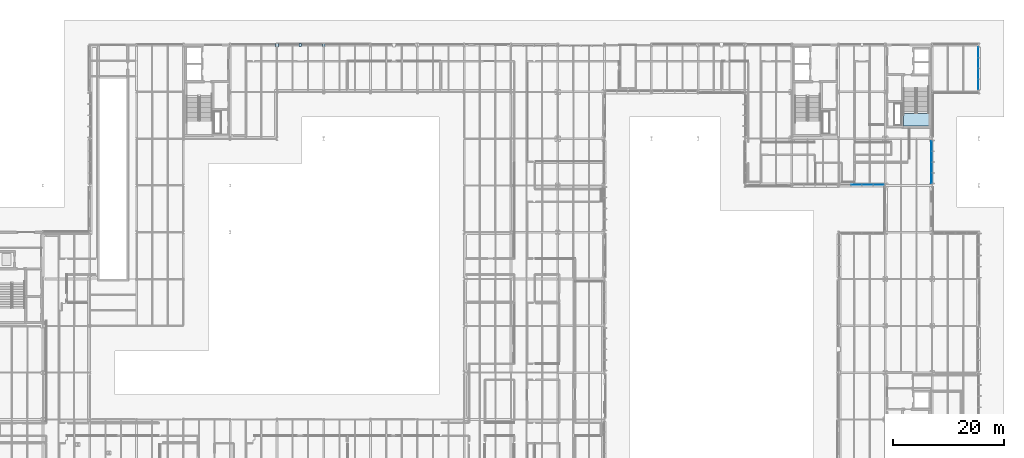
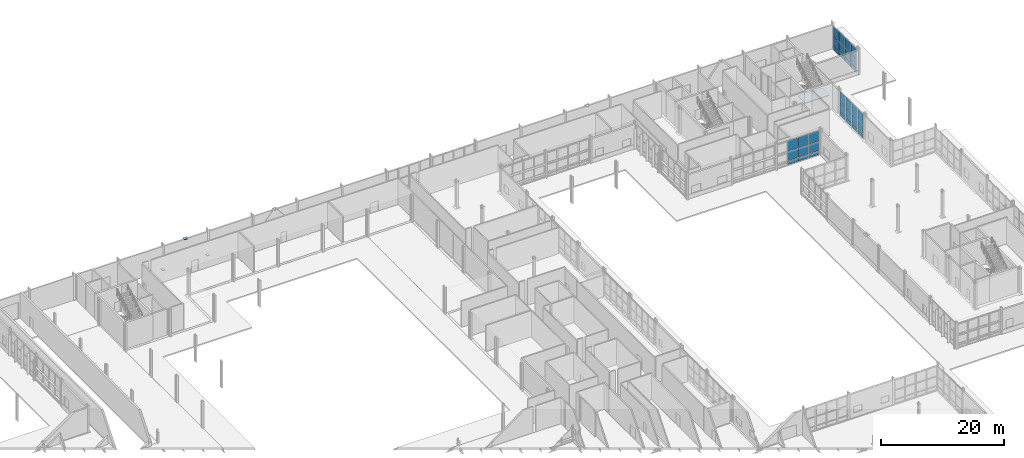
# One storey, part 80 of 124: 36 plates, 1 slab, 4 elements without a shape of their own.
"""IFC4 building model written with IfcOpenShell, lengths in metres."""

from ifc_helpers import new_model, si_unit, direction, frame, origin, origin_2d, place, context, subcontext, project, spatial, polyline, rectangle, outline, extrude, material, layer, layer_set, type_object, element, aggregate, save


model = new_model("IFC4")

# Units and contexts
model_context = context("Model", 3, precision=1e-05, world=origin(), true_north=direction((0.0, 1.0)))
body_context = subcontext(model_context, "Body", "Model", "MODEL_VIEW")
ifc_project = project(units=[si_unit("LENGTHUNIT", "METRE"), si_unit("AREAUNIT", "SQUARE_METRE"), si_unit("VOLUMEUNIT", "CUBIC_METRE"), si_unit("PLANEANGLEUNIT", "RADIAN"), si_unit("MASSUNIT", "GRAM", prefix="KILO")], contexts=[model_context])

# Site, building, storey
site_placement = place(None, origin())
site = spatial("IfcSite", under=ifc_project, at=site_placement, CompositionType="ELEMENT")
building_placement = place(site_placement, origin())
building = spatial("IfcBuilding", under=site, at=building_placement, Name="Mersafa Astral City Hall", CompositionType="ELEMENT")
storey_placement = place(building_placement, origin())
storey = spatial("IfcBuildingStorey", under=building, at=storey_placement, Name="L00", CompositionType="ELEMENT", Elevation=0.0)

# Curtain wall, plates
ifc_material_1 = material(Name="Anodised bronze aluminium framing", Category="aluminium")
curtain_wall_type_1 = type_object("IfcCurtainWallType", Name="ENV-CW-1", PredefinedType="USERDEFINED", material=ifc_material_1)
curtain_wall_1_placement = place(storey_placement, origin())
curtain_wall_1 = element("IfcCurtainWall", 1, at=curtain_wall_1_placement, inside=storey, type_object=curtain_wall_type_1, Name="L00 Unitised solar curtain wall 30", ObjectType="UNITISED CURTAIN WALL", PredefinedType="USERDEFINED")
ifc_material_2 = material(Name="Solar control low-e double glazing", Category="glass")
ifc_layer_1 = layer(ifc_material_2, 0.035888671875, Name="Solar control low-e double glazing")
ifc_layer_set_1 = layer_set([ifc_layer_1], Name="Solar control low-e double glazing — ENV-CW-PNL-GLZ-3")
plate_type_1 = type_object("IfcPlateType", Name="ENV-CW-PNL-GLZ-3", PredefinedType="CURTAIN_PANEL", material=ifc_layer_set_1)
plate_1_placement = place(storey_placement, frame((176.280029296875, 102.114013671875, 0.05810546875), z_axis=(0.0, 0.0, 1.0), x_axis=(0.0, 1.0, 0.0)))
plate_1 = element("IfcPlate", 2, at=plate_1_placement, type_object=plate_type_1, Name="CW-1 panel 1.1", PredefinedType="CURTAIN_PANEL", context=body_context, shape_type="SweptSolid", body=[
    extrude(rectangle(XDim=1.763916015625, YDim=0.035888671875, at=origin_2d()), origin(), (0.0, 0.0, 1.0), 0.761962890625),
])
plate_2_placement = place(storey_placement, frame((176.280029296875, 102.114013671875, 0.8798828125), z_axis=(0.0, 0.0, 1.0), x_axis=(0.0, 1.0, 0.0)))
plate_2 = element("IfcPlate", 3, at=plate_2_placement, type_object=plate_type_1, Name="CW-1 panel 1.2", PredefinedType="CURTAIN_PANEL", context=body_context, shape_type="SweptSolid", body=[
    extrude(rectangle(XDim=1.763916015625, YDim=0.035888671875, at=origin_2d()), origin(), (0.0, 0.0, 1.0), 1.840087890625),
])
plate_3_placement = place(storey_placement, frame((176.280029296875, 102.114013671875, 2.780029296875), z_axis=(0.0, 0.0, 1.0), x_axis=(0.0, 1.0, 0.0)))
plate_3 = element("IfcPlate", 4, at=plate_3_placement, type_object=plate_type_1, Name="CW-1 panel 1.3", PredefinedType="CURTAIN_PANEL", context=body_context, shape_type="SweptSolid", body=[
    extrude(rectangle(XDim=1.763916015625, YDim=0.035888671875, at=origin_2d()), origin(), (0.0, 0.0, 1.0), 2.06201171875),
])
plate_4_placement = place(storey_placement, frame((176.280029296875, 104.028076171875, 0.05810546875), z_axis=(0.0, 0.0, 1.0), x_axis=(0.0, 1.0, 0.0)))
plate_4 = element("IfcPlate", 5, at=plate_4_placement, type_object=plate_type_1, Name="CW-1 panel 2.1", PredefinedType="CURTAIN_PANEL", context=body_context, shape_type="SweptSolid", body=[
    extrude(rectangle(XDim=1.823974609375, YDim=0.035888671875, at=origin_2d()), origin(), (0.0, 0.0, 1.0), 0.761962890625),
])
plate_5_placement = place(storey_placement, frame((176.280029296875, 104.028076171875, 0.8798828125), z_axis=(0.0, 0.0, 1.0), x_axis=(0.0, 1.0, 0.0)))
plate_5 = element("IfcPlate", 6, at=plate_5_placement, type_object=plate_type_1, Name="CW-1 panel 2.2", PredefinedType="CURTAIN_PANEL", context=body_context, shape_type="SweptSolid", body=[
    extrude(rectangle(XDim=1.823974609375, YDim=0.035888671875, at=origin_2d()), origin(), (0.0, 0.0, 1.0), 1.840087890625),
])
plate_6_placement = place(storey_placement, frame((176.280029296875, 104.028076171875, 2.780029296875), z_axis=(0.0, 0.0, 1.0), x_axis=(0.0, 1.0, 0.0)))
plate_6 = element("IfcPlate", 7, at=plate_6_placement, type_object=plate_type_1, Name="CW-1 panel 2.3", PredefinedType="CURTAIN_PANEL", context=body_context, shape_type="SweptSolid", body=[
    extrude(rectangle(XDim=1.823974609375, YDim=0.035888671875, at=origin_2d()), origin(), (0.0, 0.0, 1.0), 2.06201171875),
])
plate_7_placement = place(storey_placement, frame((176.280029296875, 105.971923828125, 0.05810546875), z_axis=(0.0, 0.0, 1.0), x_axis=(0.0, 1.0, 0.0)))
plate_7 = element("IfcPlate", 8, at=plate_7_placement, type_object=plate_type_1, Name="CW-1 panel 3.1", PredefinedType="CURTAIN_PANEL", context=body_context, shape_type="SweptSolid", body=[
    extrude(rectangle(XDim=1.823974609375, YDim=0.035888671875, at=origin_2d()), origin(), (0.0, 0.0, 1.0), 0.761962890625),
])
plate_8_placement = place(storey_placement, frame((176.280029296875, 105.971923828125, 0.8798828125), z_axis=(0.0, 0.0, 1.0), x_axis=(0.0, 1.0, 0.0)))
plate_8 = element("IfcPlate", 9, at=plate_8_placement, type_object=plate_type_1, Name="CW-1 panel 3.2", PredefinedType="CURTAIN_PANEL", context=body_context, shape_type="SweptSolid", body=[
    extrude(rectangle(XDim=1.823974609375, YDim=0.035888671875, at=origin_2d()), origin(), (0.0, 0.0, 1.0), 1.840087890625),
])
plate_9_placement = place(storey_placement, frame((176.280029296875, 105.971923828125, 2.780029296875), z_axis=(0.0, 0.0, 1.0), x_axis=(0.0, 1.0, 0.0)))
plate_9 = element("IfcPlate", 10, at=plate_9_placement, type_object=plate_type_1, Name="CW-1 panel 3.3", PredefinedType="CURTAIN_PANEL", context=body_context, shape_type="SweptSolid", body=[
    extrude(rectangle(XDim=1.823974609375, YDim=0.035888671875, at=origin_2d()), origin(), (0.0, 0.0, 1.0), 2.06201171875),
])
plate_10_placement = place(storey_placement, frame((176.280029296875, 107.885986328125, 0.05810546875), z_axis=(0.0, 0.0, 1.0), x_axis=(0.0, 1.0, 0.0)))
plate_10 = element("IfcPlate", 11, at=plate_10_placement, type_object=plate_type_1, Name="CW-1 panel 4.1", PredefinedType="CURTAIN_PANEL", context=body_context, shape_type="SweptSolid", body=[
    extrude(rectangle(XDim=1.763916015625, YDim=0.035888671875, at=origin_2d()), origin(), (0.0, 0.0, 1.0), 0.761962890625),
])
plate_11_placement = place(storey_placement, frame((176.280029296875, 107.885986328125, 0.8798828125), z_axis=(0.0, 0.0, 1.0), x_axis=(0.0, 1.0, 0.0)))
plate_11 = element("IfcPlate", 12, at=plate_11_placement, type_object=plate_type_1, Name="CW-1 panel 4.2", PredefinedType="CURTAIN_PANEL", context=body_context, shape_type="SweptSolid", body=[
    extrude(rectangle(XDim=1.763916015625, YDim=0.035888671875, at=origin_2d()), origin(), (0.0, 0.0, 1.0), 1.840087890625),
])
plate_12_placement = place(storey_placement, frame((176.280029296875, 107.885986328125, 2.780029296875), z_axis=(0.0, 0.0, 1.0), x_axis=(0.0, 1.0, 0.0)))
plate_12 = element("IfcPlate", 13, at=plate_12_placement, type_object=plate_type_1, Name="CW-1 panel 4.3", PredefinedType="CURTAIN_PANEL", context=body_context, shape_type="SweptSolid", body=[
    extrude(rectangle(XDim=1.763916015625, YDim=0.035888671875, at=origin_2d()), origin(), (0.0, 0.0, 1.0), 2.06201171875),
])
aggregate(curtain_wall_1, [plate_1, plate_2, plate_3, plate_4, plate_5, plate_6, plate_7, plate_8, plate_9, plate_10, plate_11, plate_12])

curtain_wall_type_2 = type_object("IfcCurtainWallType", Name="ENV-CW-2", PredefinedType="USERDEFINED", material=ifc_material_1)
curtain_wall_2_placement = place(storey_placement, origin())
curtain_wall_2 = element("IfcCurtainWall", 14, at=curtain_wall_2_placement, inside=storey, type_object=curtain_wall_type_2, Name="L00 Unitised solar curtain wall 19", ObjectType="UNITISED CURTAIN WALL", PredefinedType="USERDEFINED")
ifc_layer_2 = layer(ifc_material_2, 0.0400390625, Name="Solar control low-e double glazing")
ifc_layer_set_2 = layer_set([ifc_layer_2], Name="Solar control low-e double glazing — ENV-CW-PNL-GLZ-4")
plate_type_2 = type_object("IfcPlateType", Name="ENV-CW-PNL-GLZ-4", PredefinedType="CURTAIN_PANEL", material=ifc_layer_set_2)
plate_13_placement = place(storey_placement, frame((162.79052734375, 100.919921875, 0.05810546875), z_axis=(0.0, 0.0, 1.0), x_axis=(1.0, 0.0, 0.0)))
plate_13 = element("IfcPlate", 15, at=plate_13_placement, type_object=plate_type_2, Name="CW-2 panel 2.1", PredefinedType="CURTAIN_PANEL", context=body_context, shape_type="SweptSolid", body=[
    extrude(rectangle(XDim=1.89892578125, YDim=0.0400390625, at=origin_2d()), origin(), (0.0, 0.0, 1.0), 0.761962890625),
])
plate_14_placement = place(storey_placement, frame((162.79052734375, 100.919921875, 0.8798828125), z_axis=(0.0, 0.0, 1.0), x_axis=(1.0, 0.0, 0.0)))
plate_14 = element("IfcPlate", 16, at=plate_14_placement, type_object=plate_type_2, Name="CW-2 panel 2.2", PredefinedType="CURTAIN_PANEL", context=body_context, shape_type="SweptSolid", body=[
    extrude(rectangle(XDim=1.89892578125, YDim=0.0400390625, at=origin_2d()), origin(), (0.0, 0.0, 1.0), 1.840087890625),
])
plate_15_placement = place(storey_placement, frame((162.79052734375, 100.919921875, 2.780029296875), z_axis=(0.0, 0.0, 1.0), x_axis=(1.0, 0.0, 0.0)))
plate_15 = element("IfcPlate", 17, at=plate_15_placement, type_object=plate_type_2, Name="CW-2 panel 2.3", PredefinedType="CURTAIN_PANEL", context=body_context, shape_type="SweptSolid", body=[
    extrude(rectangle(XDim=1.89892578125, YDim=0.0400390625, at=origin_2d()), origin(), (0.0, 0.0, 1.0), 2.001953125),
])
plate_16_placement = place(storey_placement, frame((164.8095703125, 100.919921875, 0.05810546875), z_axis=(0.0, 0.0, 1.0), x_axis=(1.0, 0.0, 0.0)))
plate_16 = element("IfcPlate", 18, at=plate_16_placement, type_object=plate_type_2, Name="CW-2 panel 3.1", PredefinedType="CURTAIN_PANEL", context=body_context, shape_type="SweptSolid", body=[
    extrude(rectangle(XDim=1.89892578125, YDim=0.0400390625, at=origin_2d()), origin(), (0.0, 0.0, 1.0), 0.761962890625),
])
plate_17_placement = place(storey_placement, frame((164.8095703125, 100.919921875, 0.8798828125), z_axis=(0.0, 0.0, 1.0), x_axis=(1.0, 0.0, 0.0)))
plate_17 = element("IfcPlate", 19, at=plate_17_placement, type_object=plate_type_2, Name="CW-2 panel 3.2", PredefinedType="CURTAIN_PANEL", context=body_context, shape_type="SweptSolid", body=[
    extrude(rectangle(XDim=1.89892578125, YDim=0.0400390625, at=origin_2d()), origin(), (0.0, 0.0, 1.0), 1.840087890625),
])
plate_18_placement = place(storey_placement, frame((164.8095703125, 100.919921875, 2.780029296875), z_axis=(0.0, 0.0, 1.0), x_axis=(1.0, 0.0, 0.0)))
plate_18 = element("IfcPlate", 20, at=plate_18_placement, type_object=plate_type_2, Name="CW-2 panel 3.3", PredefinedType="CURTAIN_PANEL", context=body_context, shape_type="SweptSolid", body=[
    extrude(rectangle(XDim=1.89892578125, YDim=0.0400390625, at=origin_2d()), origin(), (0.0, 0.0, 1.0), 2.001953125),
])
plate_19_placement = place(storey_placement, frame((166.798583984375, 100.919921875, 0.05810546875), z_axis=(0.0, 0.0, 1.0), x_axis=(1.0, 0.0, 0.0)))
plate_19 = element("IfcPlate", 21, at=plate_19_placement, type_object=plate_type_2, Name="CW-2 panel 4.1", PredefinedType="CURTAIN_PANEL", context=body_context, shape_type="SweptSolid", body=[
    extrude(rectangle(XDim=1.839111328125, YDim=0.0400390625, at=origin_2d()), origin(), (0.0, 0.0, 1.0), 0.761962890625),
])
plate_20_placement = place(storey_placement, frame((166.798583984375, 100.919921875, 0.8798828125), z_axis=(0.0, 0.0, 1.0), x_axis=(1.0, 0.0, 0.0)))
plate_20 = element("IfcPlate", 22, at=plate_20_placement, type_object=plate_type_2, Name="CW-2 panel 4.2", PredefinedType="CURTAIN_PANEL", context=body_context, shape_type="SweptSolid", body=[
    extrude(rectangle(XDim=1.839111328125, YDim=0.0400390625, at=origin_2d()), origin(), (0.0, 0.0, 1.0), 1.840087890625),
])
plate_21_placement = place(storey_placement, frame((166.798583984375, 100.919921875, 2.780029296875), z_axis=(0.0, 0.0, 1.0), x_axis=(1.0, 0.0, 0.0)))
plate_21 = element("IfcPlate", 23, at=plate_21_placement, type_object=plate_type_2, Name="CW-2 panel 4.3", PredefinedType="CURTAIN_PANEL", context=body_context, shape_type="SweptSolid", body=[
    extrude(rectangle(XDim=1.839111328125, YDim=0.0400390625, at=origin_2d()), origin(), (0.0, 0.0, 1.0), 2.001953125),
])
aggregate(curtain_wall_2, [plate_13, plate_14, plate_15, plate_16, plate_17, plate_18, plate_19, plate_20, plate_21])

curtain_wall_3_placement = place(storey_placement, origin())
curtain_wall_3 = element("IfcCurtainWall", 24, at=curtain_wall_3_placement, inside=storey, type_object=curtain_wall_type_2, Name="L00 Unitised solar curtain wall 31", ObjectType="UNITISED CURTAIN WALL", PredefinedType="USERDEFINED")
plate_22_placement = place(storey_placement, frame((184.679931640625, 118.9140625, 0.05810546875), z_axis=(0.0, 0.0, 1.0), x_axis=(0.0, 1.0, 0.0)))
plate_22 = element("IfcPlate", 25, at=plate_22_placement, type_object=plate_type_2, Name="CW-2 panel 1.1", PredefinedType="CURTAIN_PANEL", context=body_context, shape_type="SweptSolid", body=[
    extrude(rectangle(XDim=1.763916015625, YDim=0.0400390625, at=origin_2d()), origin(), (0.0, 0.0, 1.0), 0.761962890625),
])
plate_23_placement = place(storey_placement, frame((184.679931640625, 118.9140625, 0.8798828125), z_axis=(0.0, 0.0, 1.0), x_axis=(0.0, 1.0, 0.0)))
plate_23 = element("IfcPlate", 26, at=plate_23_placement, type_object=plate_type_2, Name="CW-2 panel 1.2", PredefinedType="CURTAIN_PANEL", context=body_context, shape_type="SweptSolid", body=[
    extrude(rectangle(XDim=1.763916015625, YDim=0.0400390625, at=origin_2d()), origin(), (0.0, 0.0, 1.0), 1.840087890625),
])
plate_24_placement = place(storey_placement, frame((184.679931640625, 118.9140625, 2.7802734375), z_axis=(0.0, 0.0, 1.0), x_axis=(0.0, 1.0, 0.0)))
plate_24 = element("IfcPlate", 27, at=plate_24_placement, type_object=plate_type_2, Name="CW-2 panel 1.3", PredefinedType="CURTAIN_PANEL", context=body_context, shape_type="SweptSolid", body=[
    extrude(rectangle(XDim=1.763916015625, YDim=0.0400390625, at=origin_2d()), origin(), (0.0, 0.0, 1.0), 1.971923828125),
])
plate_25_placement = place(storey_placement, frame((184.679931640625, 120.827880859375, 0.05810546875), z_axis=(0.0, 0.0, 1.0), x_axis=(0.0, 1.0, 0.0)))
plate_25 = element("IfcPlate", 28, at=plate_25_placement, type_object=plate_type_2, Name="CW-2 panel 2.1", PredefinedType="CURTAIN_PANEL", context=body_context, shape_type="SweptSolid", body=[
    extrude(rectangle(XDim=1.823974609375, YDim=0.0400390625, at=origin_2d()), origin(), (0.0, 0.0, 1.0), 0.761962890625),
])
plate_26_placement = place(storey_placement, frame((184.679931640625, 120.827880859375, 0.8798828125), z_axis=(0.0, 0.0, 1.0), x_axis=(0.0, 1.0, 0.0)))
plate_26 = element("IfcPlate", 29, at=plate_26_placement, type_object=plate_type_2, Name="CW-2 panel 2.2", PredefinedType="CURTAIN_PANEL", context=body_context, shape_type="SweptSolid", body=[
    extrude(rectangle(XDim=1.823974609375, YDim=0.0400390625, at=origin_2d()), origin(), (0.0, 0.0, 1.0), 1.840087890625),
])
plate_27_placement = place(storey_placement, frame((184.679931640625, 120.827880859375, 2.7802734375), z_axis=(0.0, 0.0, 1.0), x_axis=(0.0, 1.0, 0.0)))
plate_27 = element("IfcPlate", 30, at=plate_27_placement, type_object=plate_type_2, Name="CW-2 panel 2.3", PredefinedType="CURTAIN_PANEL", context=body_context, shape_type="SweptSolid", body=[
    extrude(rectangle(XDim=1.823974609375, YDim=0.0400390625, at=origin_2d()), origin(), (0.0, 0.0, 1.0), 1.971923828125),
])
plate_28_placement = place(storey_placement, frame((184.679931640625, 122.77197265625, 0.05810546875), z_axis=(0.0, 0.0, 1.0), x_axis=(0.0, 1.0, 0.0)))
plate_28 = element("IfcPlate", 31, at=plate_28_placement, type_object=plate_type_2, Name="CW-2 panel 3.1", PredefinedType="CURTAIN_PANEL", context=body_context, shape_type="SweptSolid", body=[
    extrude(rectangle(XDim=1.823974609375, YDim=0.0400390625, at=origin_2d()), origin(), (0.0, 0.0, 1.0), 0.761962890625),
])
plate_29_placement = place(storey_placement, frame((184.679931640625, 122.77197265625, 0.8798828125), z_axis=(0.0, 0.0, 1.0), x_axis=(0.0, 1.0, 0.0)))
plate_29 = element("IfcPlate", 32, at=plate_29_placement, type_object=plate_type_2, Name="CW-2 panel 3.2", PredefinedType="CURTAIN_PANEL", context=body_context, shape_type="SweptSolid", body=[
    extrude(rectangle(XDim=1.823974609375, YDim=0.0400390625, at=origin_2d()), origin(), (0.0, 0.0, 1.0), 1.840087890625),
])
plate_30_placement = place(storey_placement, frame((184.679931640625, 122.77197265625, 2.7802734375), z_axis=(0.0, 0.0, 1.0), x_axis=(0.0, 1.0, 0.0)))
plate_30 = element("IfcPlate", 33, at=plate_30_placement, type_object=plate_type_2, Name="CW-2 panel 3.3", PredefinedType="CURTAIN_PANEL", context=body_context, shape_type="SweptSolid", body=[
    extrude(rectangle(XDim=1.823974609375, YDim=0.0400390625, at=origin_2d()), origin(), (0.0, 0.0, 1.0), 1.971923828125),
])
plate_31_placement = place(storey_placement, frame((184.679931640625, 124.68603515625, 0.05810546875), z_axis=(0.0, 0.0, 1.0), x_axis=(0.0, 1.0, 0.0)))
plate_31 = element("IfcPlate", 34, at=plate_31_placement, type_object=plate_type_2, Name="CW-2 panel 4.1", PredefinedType="CURTAIN_PANEL", context=body_context, shape_type="SweptSolid", body=[
    extrude(rectangle(XDim=1.763916015625, YDim=0.0400390625, at=origin_2d()), origin(), (0.0, 0.0, 1.0), 0.761962890625),
])
plate_32_placement = place(storey_placement, frame((184.679931640625, 124.68603515625, 0.8798828125), z_axis=(0.0, 0.0, 1.0), x_axis=(0.0, 1.0, 0.0)))
plate_32 = element("IfcPlate", 35, at=plate_32_placement, type_object=plate_type_2, Name="CW-2 panel 4.2", PredefinedType="CURTAIN_PANEL", context=body_context, shape_type="SweptSolid", body=[
    extrude(rectangle(XDim=1.763916015625, YDim=0.0400390625, at=origin_2d()), origin(), (0.0, 0.0, 1.0), 1.840087890625),
])
plate_33_placement = place(storey_placement, frame((184.679931640625, 124.68603515625, 2.7802734375), z_axis=(0.0, 0.0, 1.0), x_axis=(0.0, 1.0, 0.0)))
plate_33 = element("IfcPlate", 36, at=plate_33_placement, type_object=plate_type_2, Name="CW-2 panel 4.3", PredefinedType="CURTAIN_PANEL", context=body_context, shape_type="SweptSolid", body=[
    extrude(rectangle(XDim=1.763916015625, YDim=0.0400390625, at=origin_2d()), origin(), (0.0, 0.0, 1.0), 1.971923828125),
])
aggregate(curtain_wall_3, [plate_22, plate_23, plate_24, plate_25, plate_26, plate_27, plate_28, plate_29, plate_30, plate_31, plate_32, plate_33])

# Stair, slab
ifc_material_3 = material(Name="Concrete C40/50", Category="concrete")
stair_type = type_object("IfcStairType", Name="STAIR", PredefinedType="HALF_TURN_STAIR", material=ifc_material_3)
stair_placement = place(storey_placement, origin())
stair = element("IfcStair", 37, at=stair_placement, inside=storey, type_object=stair_type, Name="L00 Protected Exit Stair ST2", PredefinedType="HALF_TURN_STAIR")
ifc_layer_3 = layer(ifc_material_3, 0.199951171875, Name="Concrete C40/50")
ifc_layer_set_3 = layer_set([ifc_layer_3], Name="Concrete C40/50 — STAIR-LANDING")
slab_type = type_object("IfcSlabType", Name="STAIR-LANDING", PredefinedType="LANDING", material=ifc_layer_set_3)
slab_placement = place(storey_placement, frame((0.0, 0.0, 2.5)))
slab = element("IfcSlab", 38, at=slab_placement, type_object=slab_type, Name="ST2 landing 1", PredefinedType="LANDING", context=body_context, shape_type="SweptSolid", body=[
    extrude(outline(polyline([(171.260009765625, 113.760009765625), (171.260009765625, 111.449951171875), (175.820068359375, 111.449951171875), (175.820068359375, 113.760009765625), (171.260009765625, 113.760009765625)])), origin(), (0.0, 0.0, 1.0), 0.199951171875),
])
aggregate(stair, [slab])

# Plates
ifc_material_4 = material(Name="Steel S355", Category="steel")
ifc_layer_4 = layer(ifc_material_4, 0.01611328125, Name="Steel S355")
ifc_layer_set_4 = layer_set([ifc_layer_4], Name="Steel S355 — STR-PLT-NP-23")
plate_type_3 = type_object("IfcPlateType", Name="STR-PLT-NP-23", PredefinedType="SHEET", material=ifc_layer_set_4)
plate_34_placement = place(storey_placement, frame((63.0, 126.0, 4.81689453125), z_axis=(0.0, 0.0, 1.0), x_axis=(1.0, 0.0, 0.0)))
element("IfcPlate", 39, at=plate_34_placement, inside=storey, type_object=plate_type_3, Name="L00 Structural steel brace gusset plate NP-23", PredefinedType="SHEET", context=body_context, shape_type="SweptSolid", body=[
    extrude(rectangle(XDim=0.485107421875, YDim=0.60009765625, at=origin_2d()), origin(), (0.0, 0.0, 1.0), 0.01611328125),
])
ifc_layer_5 = layer(ifc_material_4, 0.01708984375, Name="Steel S355")
ifc_layer_set_5 = layer_set([ifc_layer_5], Name="Steel S355 — STR-PLT-NP-24")
plate_type_4 = type_object("IfcPlateType", Name="STR-PLT-NP-24", PredefinedType="SHEET", material=ifc_layer_set_5)
plate_35_placement = place(storey_placement, frame((58.798095703125, 126.0, 0.111572265625), z_axis=(0.0, 0.0, 1.0), x_axis=(1.0, 0.0, 0.0)))
element("IfcPlate", 40, at=plate_35_placement, inside=storey, type_object=plate_type_4, Name="L00 Structural steel brace gusset plate NP-24", PredefinedType="SHEET", context=body_context, shape_type="SweptSolid", body=[
    extrude(rectangle(XDim=0.510009765625, YDim=0.6298828125, at=origin_2d()), origin(), (0.0, 0.0, 1.0), 0.01708984375),
])
ifc_layer_6 = layer(ifc_material_4, 0.01806640625, Name="Steel S355")
ifc_layer_set_6 = layer_set([ifc_layer_6], Name="Steel S355 — STR-PLT-NP-25")
plate_type_5 = type_object("IfcPlateType", Name="STR-PLT-NP-25", PredefinedType="SHEET", material=ifc_layer_set_6)
plate_36_placement = place(storey_placement, frame((67.201904296875, 126.0, 0.111083984375), z_axis=(0.0, 0.0, 1.0), x_axis=(1.0, 0.0, 0.0)))
element("IfcPlate", 41, at=plate_36_placement, inside=storey, type_object=plate_type_5, Name="L00 Structural steel brace gusset plate NP-25", PredefinedType="SHEET", context=body_context, shape_type="SweptSolid", body=[
    extrude(rectangle(XDim=0.534912109375, YDim=0.659912109375, at=origin_2d()), origin(), (0.0, 0.0, 1.0), 0.01806640625),
])

save(model, "model.ifc")
